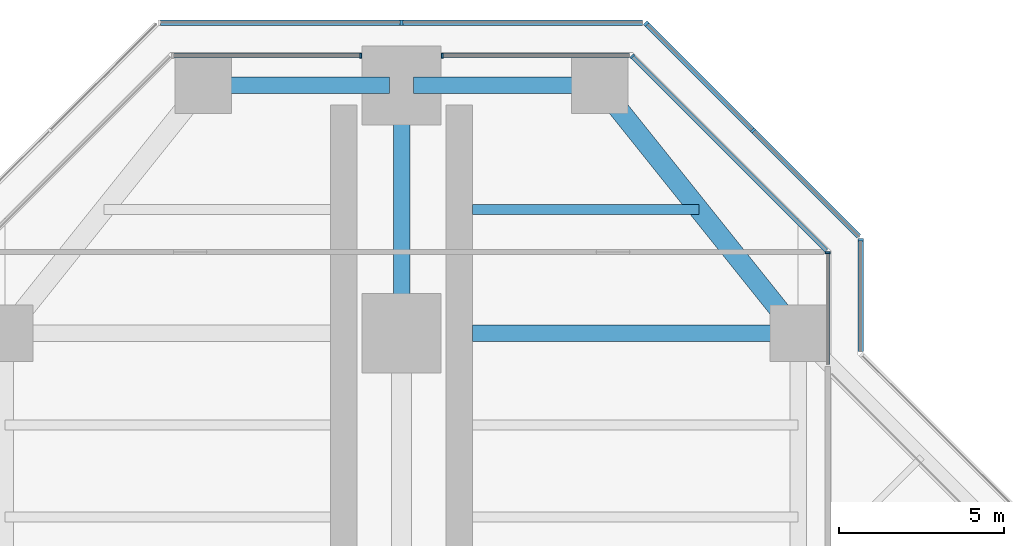
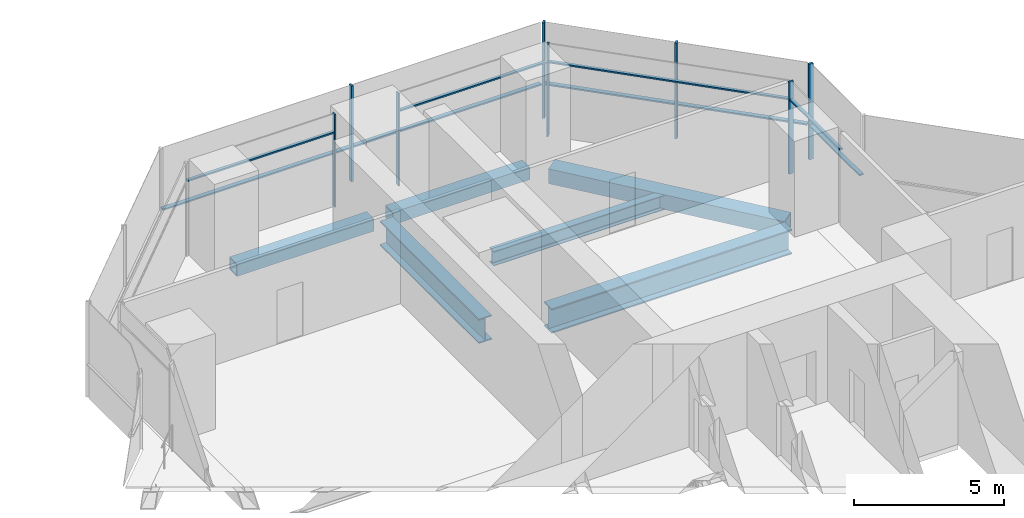
# One storey, part 10 of 20: 17 members, 6 beams, 7 elements without a shape of their own.
"""IFC4 building model written with IfcOpenShell, lengths in metres."""

from ifc_helpers import new_model, si_unit, direction, frame, origin, origin_2d, place, context, subcontext, project, spatial, rectangle, hollow_rectangle, i_section, extrude, material, material_profile, profile_set, type_object, element, aggregate, save


model = new_model("IFC4")

# Units and contexts
model_context = context("Model", 3, precision=1e-05, world=origin(), true_north=direction((0.0, 1.0)))
body_context = subcontext(model_context, "Body", "Model", "MODEL_VIEW")
ifc_project = project(units=[si_unit("LENGTHUNIT", "METRE"), si_unit("AREAUNIT", "SQUARE_METRE"), si_unit("VOLUMEUNIT", "CUBIC_METRE"), si_unit("PLANEANGLEUNIT", "RADIAN"), si_unit("MASSUNIT", "GRAM", prefix="KILO")], contexts=[model_context])

# Site, building, storey
site_placement = place(None, origin())
site = spatial("IfcSite", under=ifc_project, at=site_placement, CompositionType="ELEMENT")
building_placement = place(site_placement, origin())
building = spatial("IfcBuilding", under=site, at=building_placement, Name="Mizan Broadcast Tower", CompositionType="ELEMENT")
storey_placement = place(building_placement, frame((0.0, 0.0, 139.800048828125)))
storey = spatial("IfcBuildingStorey", under=building, at=storey_placement, Name="L31", CompositionType="ELEMENT", Elevation=139.800048828125)

# Beams
ifc_material_1 = material(Name="Steel S355", Category="steel")
ifc_material_profile_1 = material_profile(ifc_material_1, hollow_rectangle(XDim=0.5, YDim=0.5, WallThickness=0.030029296875, at=origin_2d()), Name="BOX 500x500x30")
ifc_profile_set_1 = profile_set([ifc_material_profile_1], Name="Steel S355")
beam_type_1 = type_object("IfcBeamType", Name="EDGE BEAM BOX 500x500x30", PredefinedType="SPANDREL", material=ifc_profile_set_1)
for number, where, z_axis, x_axis, name in (
    (1, (5.639892578125, 27.0, -0.380126953125), (-1.0, 0.0, 0.0), (0.0, -1.0, 0.0), "Edge beam BOX 500x500x30 L31 north arm"),
    (2, (-5.639892578125, 27.0, -0.380126953125), (1.0, 0.0, 0.0), (0.0, 1.0, 0.0), "Edge beam BOX 500x500x30 L31 north arm"),
):
    element("IfcBeam", number, at=place(storey_placement, frame(where, z_axis=z_axis, x_axis=x_axis)), inside=storey, type_object=beam_type_1, Name=name, PredefinedType="SPANDREL", context=body_context, shape_type="SweptSolid", body=[
        extrude(hollow_rectangle(XDim=0.5, YDim=0.5, WallThickness=0.030029296875, at=origin_2d()), origin(), (0.0, 0.0, 1.0), 5.27978515625),
    ])
ifc_material_2 = material(Name="Steel S355", Category="steel")
ifc_material_profile_2 = material_profile(ifc_material_2, hollow_rectangle(XDim=0.60009765625, YDim=0.60009765625, WallThickness=0.030029296875, at=origin_2d()), Name="BOX 600x600x30")
ifc_profile_set_2 = profile_set([ifc_material_profile_2], Name="Steel S355")
beam_type_2 = type_object("IfcBeamType", Name="EDGE BEAM BOX 600x600x30", PredefinedType="SPANDREL", material=ifc_profile_set_2)
beam_1_placement = place(storey_placement, frame((11.639892578125, 19.949951171875, -0.429931640625), z_axis=(-0.624673911726, 0.780885717636, 0.0), x_axis=(-0.780885717636, -0.624673911726, 0.0)))
element("IfcBeam", 3, at=beam_1_placement, inside=storey, type_object=beam_type_2, Name="Edge beam BOX 600x600x30 L31 north arm", PredefinedType="SPANDREL", context=body_context, shape_type="SweptSolid", body=[
    extrude(hollow_rectangle(XDim=0.60009765625, YDim=0.60009765625, WallThickness=0.030029296875, at=origin_2d()), origin(), (0.0, 0.0, 1.0), 8.4521484375),
])
ifc_material_3 = material(Name="Steel S460", Category="steel")
ifc_material_profile_3 = material_profile(ifc_material_3, i_section(OverallWidth=0.5, OverallDepth=1.0, WebThickness=0.02490234375, FlangeThickness=0.050048828125, at=origin_2d()), Name="WPG 1000x500")
ifc_profile_set_3 = profile_set([ifc_material_profile_3], Name="Steel S460")
beam_type_3 = type_object("IfcBeamType", Name="GIRDER WPG 1000x500", PredefinedType="BEAM", material=ifc_profile_set_3)
beam_2_placement = place(storey_placement, frame((0.0, 19.949951171875, -0.630126953125), z_axis=(0.0, 1.0, 0.0), x_axis=(-1.0, 0.0, 0.0)))
element("IfcBeam", 4, at=beam_2_placement, inside=storey, type_object=beam_type_3, Name="Girder WPG 1000x500 L31 north arm", PredefinedType="BEAM", context=body_context, shape_type="SweptSolid", body=[
    extrude(i_section(OverallWidth=0.5, OverallDepth=1.0, WebThickness=0.02490234375, FlangeThickness=0.050048828125, at=origin_2d()), origin(), (0.0, 0.0, 1.0), 6.60009765625),
])
beam_3_placement = place(storey_placement, frame((11.408935546875, 19.5, -0.630126953125), z_axis=(-1.0, 0.0, 0.0), x_axis=(0.0, -1.0, 0.0)))
element("IfcBeam", 5, at=beam_3_placement, inside=storey, type_object=beam_type_3, Name="Girder WPG 1000x500 L31 north arm", PredefinedType="BEAM", context=body_context, shape_type="SweptSolid", body=[
    extrude(i_section(OverallWidth=0.5, OverallDepth=1.0, WebThickness=0.02490234375, FlangeThickness=0.050048828125, at=origin_2d()), origin(), (0.0, 0.0, 1.0), 9.259033203125),
])

# Curtain wall, member
ifc_material_4 = material(Name="Aluminium framed glazing", Category="aluminium")
curtain_wall_type_1 = type_object("IfcCurtainWallType", Name="INNER SKIN MID ZONE", PredefinedType="USERDEFINED", material=ifc_material_4)
curtain_wall_1_placement = place(storey_placement, origin())
curtain_wall_1 = element("IfcCurtainWall", 6, at=curtain_wall_1_placement, inside=storey, type_object=curtain_wall_type_1, Name="Inner skin mid zone L31 N side", ObjectType="INNER SKIN MID ZONE", PredefinedType="USERDEFINED")
ifc_material_5 = material(Name="Aluminium, pale anodised", Category="aluminium")
ifc_material_profile_4 = material_profile(ifc_material_5, rectangle(XDim=0.159912109375, YDim=0.06005859375, at=origin_2d()), Name="MULLION 160x60")
ifc_profile_set_4 = profile_set([ifc_material_profile_4], Name="Aluminium, pale anodised")
member_type_1 = type_object("IfcMemberType", Name="INNER SKIN MULLION 60x160", PredefinedType="MULLION", material=ifc_profile_set_4)
member_1_placement = place(storey_placement, frame((12.89990234375, 21.928466796875, 0.0), z_axis=(0.0, 0.0, 1.0), x_axis=(-1.0, 0.0, 0.0)))
member_1 = element("IfcMember", 7, at=member_1_placement, type_object=member_type_1, Name="Inner skin mid zone L31 N side mullion 2", PredefinedType="MULLION", context=body_context, shape_type="SweptSolid", body=[
    extrude(rectangle(XDim=0.159912109375, YDim=0.06005859375, at=origin_2d()), origin(), (0.0, 0.0, 1.0), 3.77001953125),
])

curtain_wall_2_placement = place(storey_placement, origin())
curtain_wall_2 = element("IfcCurtainWall", 8, at=curtain_wall_2_placement, inside=storey, type_object=curtain_wall_type_1, Name="Inner skin mid zone L31 N chamfer", ObjectType="INNER SKIN MID ZONE", PredefinedType="USERDEFINED")
member_2_placement = place(storey_placement, frame((6.979736328125, 27.87890625, 0.0), z_axis=(0.0, 0.0, 1.0), x_axis=(-0.707106781187, -0.707106781187, 0.0)))
member_2 = element("IfcMember", 9, at=member_2_placement, type_object=member_type_1, Name="Inner skin mid zone L31 N chamfer mullion 2", PredefinedType="MULLION", context=body_context, shape_type="SweptSolid", body=[
    extrude(rectangle(XDim=0.159912109375, YDim=0.06005859375, at=origin_2d()), origin(), (0.0, 0.0, 1.0), 3.77001953125),
])

curtain_wall_3_placement = place(storey_placement, origin())
curtain_wall_3 = element("IfcCurtainWall", 10, at=curtain_wall_3_placement, inside=storey, type_object=curtain_wall_type_1, Name="Inner skin mid zone L31 N end", ObjectType="INNER SKIN MID ZONE", PredefinedType="USERDEFINED")
member_3_placement = place(storey_placement, frame((1.22998046875, 27.89990234375, 0.0), z_axis=(0.0, 0.0, 1.0), x_axis=(0.0, -1.0, 0.0)))
member_3 = element("IfcMember", 11, at=member_3_placement, type_object=member_type_1, Name="Inner skin mid zone L31 N end mullion 2", PredefinedType="MULLION", context=body_context, shape_type="SweptSolid", body=[
    extrude(rectangle(XDim=0.159912109375, YDim=0.06005859375, at=origin_2d()), origin(), (0.0, 0.0, 1.0), 3.77001953125),
])

curtain_wall_4_placement = place(storey_placement, origin())
curtain_wall_4 = element("IfcCurtainWall", 12, at=curtain_wall_4_placement, inside=storey, type_object=curtain_wall_type_1, Name="Inner skin mid zone L31 N end", ObjectType="INNER SKIN MID ZONE", PredefinedType="USERDEFINED")
member_4_placement = place(storey_placement, frame((-1.22998046875, 27.89990234375, 0.0), z_axis=(0.0, 0.0, 1.0), x_axis=(0.0, -1.0, 0.0)))
member_4 = element("IfcMember", 13, at=member_4_placement, type_object=member_type_1, Name="Inner skin mid zone L31 N end mullion 1", PredefinedType="MULLION", context=body_context, shape_type="SweptSolid", body=[
    extrude(rectangle(XDim=0.159912109375, YDim=0.06005859375, at=origin_2d()), origin(), (0.0, 0.0, 1.0), 3.77001953125),
])

# Member
ifc_material_6 = material(Name="Aluminium, pale anodised", Category="aluminium")
ifc_material_profile_5 = material_profile(ifc_material_6, rectangle(XDim=0.1201171875, YDim=0.06005859375, at=origin_2d()), Name="TRANSOM 120x60")
ifc_profile_set_5 = profile_set([ifc_material_profile_5], Name="Aluminium, pale anodised")
member_type_2 = type_object("IfcMemberType", Name="INNER SKIN TRANSOM 60x120", PredefinedType="USERDEFINED", material=ifc_profile_set_5)
member_5_placement = place(storey_placement, frame((12.89990234375, 18.56005859375, 3.030029296875), z_axis=(0.0, 1.0, 0.0), x_axis=(-1.0, 0.0, 0.0)))
member_5 = element("IfcMember", 14, at=member_5_placement, type_object=member_type_2, Name="Inner skin mid zone L31 N side transom 1.1", ObjectType="TRANSOM", PredefinedType="USERDEFINED", context=body_context, shape_type="SweptSolid", body=[
    extrude(rectangle(XDim=0.1201171875, YDim=0.06005859375, at=origin_2d()), origin(), (0.0, 0.0, 1.0), 3.338623046875),
])

aggregate(curtain_wall_1, [member_1, member_5])

member_6_placement = place(storey_placement, frame((12.857666015625, 22.0009765625, 3.030029296875), z_axis=(-0.707106781187, 0.707106781187, 0.0), x_axis=(-0.707106781187, -0.707106781187, 0.0)))
member_6 = element("IfcMember", 15, at=member_6_placement, type_object=member_type_2, Name="Inner skin mid zone L31 N chamfer transom 1.1", ObjectType="TRANSOM", PredefinedType="USERDEFINED", context=body_context, shape_type="SweptSolid", body=[
    extrude(rectangle(XDim=0.1201171875, YDim=0.06005859375, at=origin_2d()), origin(), (0.0, 0.0, 1.0), 8.28271484375),
])

aggregate(curtain_wall_2, [member_2, member_6])

member_7_placement = place(storey_placement, frame((6.898681640625, 27.89990234375, 3.030029296875), z_axis=(-1.0, 0.0, 0.0), x_axis=(0.0, -1.0, 0.0)))
member_7 = element("IfcMember", 16, at=member_7_placement, type_object=member_type_2, Name="Inner skin mid zone L31 N end transom 1.1", ObjectType="TRANSOM", PredefinedType="USERDEFINED", context=body_context, shape_type="SweptSolid", body=[
    extrude(rectangle(XDim=0.1201171875, YDim=0.06005859375, at=origin_2d()), origin(), (0.0, 0.0, 1.0), 5.638671875),
])

aggregate(curtain_wall_3, [member_3, member_7])

member_8_placement = place(storey_placement, frame((-1.260009765625, 27.89990234375, 3.030029296875), z_axis=(-1.0, 0.0, 0.0), x_axis=(0.0, -1.0, 0.0)))
member_8 = element("IfcMember", 17, at=member_8_placement, type_object=member_type_2, Name="Inner skin mid zone L31 N end transom 1.1", ObjectType="TRANSOM", PredefinedType="USERDEFINED", context=body_context, shape_type="SweptSolid", body=[
    extrude(rectangle(XDim=0.1201171875, YDim=0.06005859375, at=origin_2d()), origin(), (0.0, 0.0, 1.0), 5.638671875),
])

aggregate(curtain_wall_4, [member_4, member_8])

# Curtain wall, member
ifc_material_7 = material(Name="Aluminium framed glazing", Category="aluminium")
curtain_wall_type_2 = type_object("IfcCurtainWallType", Name="OUTER SKIN", PredefinedType="USERDEFINED", material=ifc_material_7)
curtain_wall_5_placement = place(storey_placement, origin())
curtain_wall_5 = element("IfcCurtainWall", 18, at=curtain_wall_5_placement, inside=storey, type_object=curtain_wall_type_2, Name="Outer skin L31 N side", ObjectType="OUTER SKIN", PredefinedType="USERDEFINED")
ifc_material_8 = material(Name="Aluminium, pale anodised", Category="aluminium")
ifc_material_profile_6 = material_profile(ifc_material_8, rectangle(XDim=0.159912109375, YDim=0.080078125, at=origin_2d()), Name="MULLION 160x80")
ifc_profile_set_6 = profile_set([ifc_material_profile_6], Name="Aluminium, pale anodised")
member_type_3 = type_object("IfcMemberType", Name="OUTER SKIN MULLION 80x160", PredefinedType="MULLION", material=ifc_profile_set_6)
member_9_placement = place(storey_placement, frame((13.89990234375, 22.332763671875, 0.0), z_axis=(0.0, 0.0, 1.0), x_axis=(-1.0, 0.0, 0.0)))
member_9 = element("IfcMember", 19, at=member_9_placement, type_object=member_type_3, Name="Outer skin L31 N side mullion 2", PredefinedType="MULLION", context=body_context, shape_type="SweptSolid", body=[
    extrude(rectangle(XDim=0.159912109375, YDim=0.080078125, at=origin_2d()), origin(), (0.0, 0.0, 1.0), 3.89990234375),
])

# Curtain wall, members
curtain_wall_6_placement = place(storey_placement, origin())
curtain_wall_6 = element("IfcCurtainWall", 20, at=curtain_wall_6_placement, inside=storey, type_object=curtain_wall_type_2, Name="Outer skin L31 N chamfer", ObjectType="OUTER SKIN", PredefinedType="USERDEFINED")
member_10_placement = place(storey_placement, frame((10.636474609375, 25.636474609375, 0.0), z_axis=(0.0, 0.0, 1.0), x_axis=(-0.707106781187, -0.707106781187, 0.0)))
member_10 = element("IfcMember", 21, at=member_10_placement, type_object=member_type_3, Name="Outer skin L31 N chamfer mullion 2", PredefinedType="MULLION", context=body_context, shape_type="SweptSolid", body=[
    extrude(rectangle(XDim=0.159912109375, YDim=0.080078125, at=origin_2d()), origin(), (0.0, 0.0, 1.0), 3.89990234375),
])
member_11_placement = place(storey_placement, frame((7.401123046875, 28.871826171875, 0.0), z_axis=(0.0, 0.0, 1.0), x_axis=(-0.707106781187, -0.707106781187, 0.0)))
member_11 = element("IfcMember", 22, at=member_11_placement, type_object=member_type_3, Name="Outer skin L31 N chamfer mullion 3", PredefinedType="MULLION", context=body_context, shape_type="SweptSolid", body=[
    extrude(rectangle(XDim=0.159912109375, YDim=0.080078125, at=origin_2d()), origin(), (0.0, 0.0, 1.0), 3.89990234375),
])

# Curtain wall, member
curtain_wall_7_placement = place(storey_placement, origin())
curtain_wall_7 = element("IfcCurtainWall", 23, at=curtain_wall_7_placement, inside=storey, type_object=curtain_wall_type_2, Name="Outer skin L31 N end", ObjectType="OUTER SKIN", PredefinedType="USERDEFINED")
member_12_placement = place(storey_placement, frame((0.0, 28.89990234375, 0.0), z_axis=(0.0, 0.0, 1.0), x_axis=(0.0, -1.0, 0.0)))
member_12 = element("IfcMember", 24, at=member_12_placement, type_object=member_type_3, Name="Outer skin L31 N end mullion 2", PredefinedType="MULLION", context=body_context, shape_type="SweptSolid", body=[
    extrude(rectangle(XDim=0.159912109375, YDim=0.080078125, at=origin_2d()), origin(), (0.0, 0.0, 1.0), 3.89990234375),
])

# Member
ifc_material_9 = material(Name="Aluminium, pale anodised", Category="aluminium")
ifc_material_profile_7 = material_profile(ifc_material_9, rectangle(XDim=0.159912109375, YDim=0.06005859375, at=origin_2d()), Name="TRANSOM 160x60")
ifc_profile_set_7 = profile_set([ifc_material_profile_7], Name="Aluminium, pale anodised")
member_type_4 = type_object("IfcMemberType", Name="OUTER SKIN TRANSOM 60x160", PredefinedType="USERDEFINED", material=ifc_profile_set_7)
member_13_placement = place(storey_placement, frame((13.89990234375, 18.952880859375, 1.39990234375), z_axis=(0.0, 1.0, 0.0), x_axis=(-1.0, 0.0, 0.0)))
member_13 = element("IfcMember", 25, at=member_13_placement, type_object=member_type_4, Name="Outer skin L31 N side transom 1.1", ObjectType="TRANSOM", PredefinedType="USERDEFINED", context=body_context, shape_type="SweptSolid", body=[
    extrude(rectangle(XDim=0.159912109375, YDim=0.06005859375, at=origin_2d()), origin(), (0.0, 0.0, 1.0), 3.33984375),
])

aggregate(curtain_wall_5, [member_9, member_13])

member_14_placement = place(storey_placement, frame((13.843505859375, 22.429443359375, 1.39990234375), z_axis=(-0.707106781187, 0.707106781187, 0.0), x_axis=(-0.707106781187, -0.707106781187, 0.0)))
member_14 = element("IfcMember", 26, at=member_14_placement, type_object=member_type_4, Name="Outer skin L31 N chamfer transom 1.1", ObjectType="TRANSOM", PredefinedType="USERDEFINED", context=body_context, shape_type="SweptSolid", body=[
    extrude(rectangle(XDim=0.159912109375, YDim=0.06005859375, at=origin_2d()), origin(), (0.0, 0.0, 1.0), 4.495361328125),
])

member_15_placement = place(storey_placement, frame((10.608154296875, 25.664794921875, 1.39990234375), z_axis=(-0.707106781187, 0.707106781187, 0.0), x_axis=(-0.707106781187, -0.707106781187, 0.0)))
member_15 = element("IfcMember", 27, at=member_15_placement, type_object=member_type_4, Name="Outer skin L31 N chamfer transom 2.1", ObjectType="TRANSOM", PredefinedType="USERDEFINED", context=body_context, shape_type="SweptSolid", body=[
    extrude(rectangle(XDim=0.159912109375, YDim=0.06005859375, at=origin_2d()), origin(), (0.0, 0.0, 1.0), 4.495361328125),
])

aggregate(curtain_wall_6, [member_10, member_11, member_14, member_15])

member_16_placement = place(storey_placement, frame((7.292724609375, 28.89990234375, 1.39990234375), z_axis=(-1.0, 0.0, 0.0), x_axis=(0.0, -1.0, 0.0)))
member_16 = element("IfcMember", 28, at=member_16_placement, type_object=member_type_4, Name="Outer skin L31 N end transom 1.1", ObjectType="TRANSOM", PredefinedType="USERDEFINED", context=body_context, shape_type="SweptSolid", body=[
    extrude(rectangle(XDim=0.159912109375, YDim=0.06005859375, at=origin_2d()), origin(), (0.0, 0.0, 1.0), 7.252685546875),
])

member_17_placement = place(storey_placement, frame((-0.0400390625, 28.89990234375, 1.39990234375), z_axis=(-1.0, 0.0, 0.0), x_axis=(0.0, -1.0, 0.0)))
member_17 = element("IfcMember", 29, at=member_17_placement, type_object=member_type_4, Name="Outer skin L31 N end transom 2.1", ObjectType="TRANSOM", PredefinedType="USERDEFINED", context=body_context, shape_type="SweptSolid", body=[
    extrude(rectangle(XDim=0.159912109375, YDim=0.06005859375, at=origin_2d()), origin(), (0.0, 0.0, 1.0), 7.252685546875),
])

aggregate(curtain_wall_7, [member_12, member_16, member_17])

# Beam
ifc_material_10 = material(Name="Steel S355", Category="steel")
ifc_material_profile_8 = material_profile(ifc_material_10, i_section(OverallWidth=0.300048828125, OverallDepth=0.590087890625, WebThickness=0.012939453125, FlangeThickness=0.02490234375, FilletRadius=0.027099609375, at=origin_2d()), Name="HEA 600")
ifc_profile_set_8 = profile_set([ifc_material_profile_8], Name="Steel S355")
beam_type_4 = type_object("IfcBeamType", Name="SECONDARY BEAM HEA 600", PredefinedType="JOIST", material=ifc_profile_set_8)
beam_4_placement = place(storey_placement, frame((9.0, 23.25, -0.425048828125), z_axis=(-1.0, 0.0, 0.0), x_axis=(0.0, -1.0, 0.0)))
element("IfcBeam", 30, at=beam_4_placement, inside=storey, type_object=beam_type_4, Name="Secondary beam HEA 600 L31 north arm", PredefinedType="JOIST", context=body_context, shape_type="SweptSolid", body=[
    extrude(i_section(OverallWidth=0.300048828125, OverallDepth=0.590087890625, WebThickness=0.012939453125, FlangeThickness=0.02490234375, FilletRadius=0.027099609375, at=origin_2d()), origin(), (0.0, 0.0, 1.0), 6.85009765625),
])

save(model, "model.ifc")
